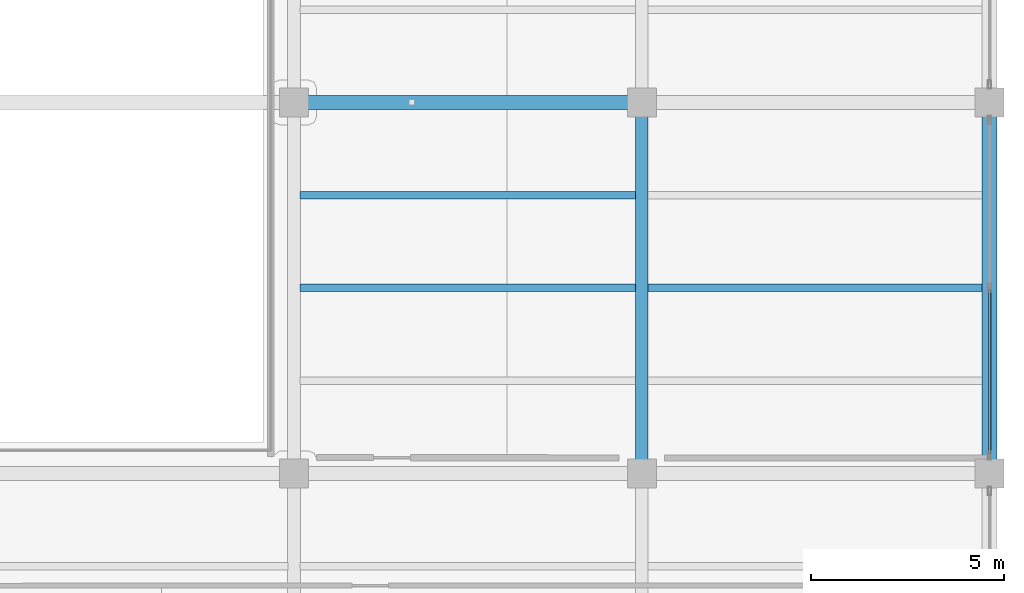
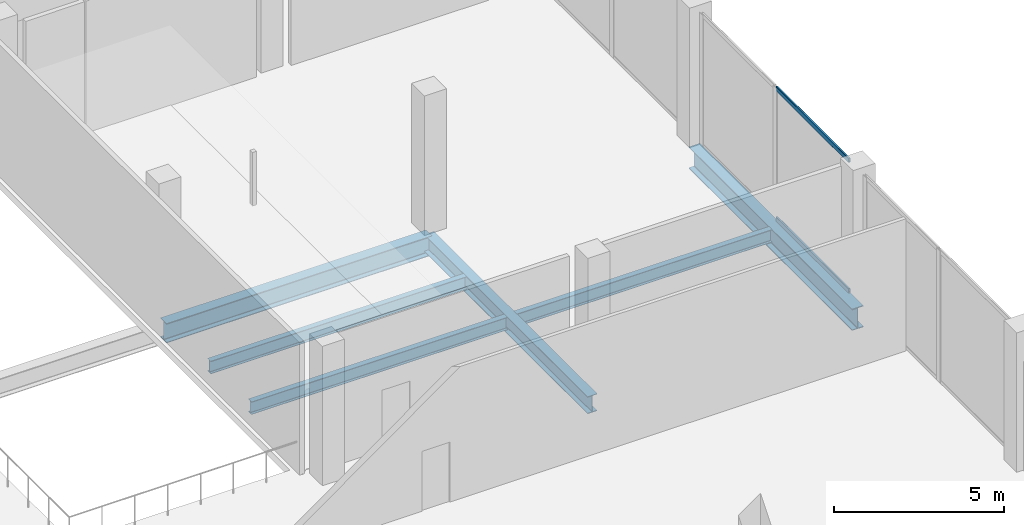
# One storey, part 17 of 47: 6 beams, 2 members, 1 element without a shape of its own.
"""IFC4 building model written with IfcOpenShell, lengths in metres."""

import ifcopenshell
import ifcopenshell.guid

model = None  # the IFC model being written
_history = None  # IfcOwnerHistory: only IFC2X3 demands one
_inside = {}  # id of a spatial element -> (the spatial element, [elements in it])
_under = {}  # id of a project, library or spatial element -> (it, [spatial elements below it])
_declared = {}  # id of a project -> (the project, [libraries it declares])
_typed = {}  # id of a type object -> (the type object, [elements of that type])
_made_of = {}  # id of a material, layer set ... -> (it, [elements and type objects made of it])


def new_model(schema):
    """Start an empty IFC model of exactly this schema.

    Asked for "IFC4X3", IfcOpenShell would pick the latest addendum, in which some entities
    have other attributes; the version numbers below select the first issue.
    IFC2X3 requires an IfcOwnerHistory on every rooted entity: one is made here for all.
    """
    global model, _history
    if schema == "IFC4X3":
        model = ifcopenshell.file(schema_version=(4, 3, 0, 0))
    else:
        model = ifcopenshell.file(schema=schema)
    _inside.clear()
    _under.clear()
    _declared.clear()
    _typed.clear()
    _made_of.clear()
    _history = None
    if model.schema == "IFC2X3":
        org = make("IfcOrganization", Name="unknown")
        user = make(
            "IfcPersonAndOrganization",
            ThePerson=make("IfcPerson", FamilyName="unknown"),
            TheOrganization=org,
        )
        app = make(
            "IfcApplication",
            ApplicationDeveloper=org,
            Version="unknown",
            ApplicationFullName="unknown",
            ApplicationIdentifier="unknown",
        )
        _history = make(
            "IfcOwnerHistory",
            OwningUser=user,
            OwningApplication=app,
            ChangeAction="ADDED",
            CreationDate=0,
        )
    return model


def make(cls, **values):
    """One entity of the class cls with the attributes given. An attribute that is None is left unset."""
    return model.create_entity(
        cls, **{name: value for name, value in values.items() if value is not None}
    )


def rooted(cls, **values):
    """An entity with a GlobalId (a new one), such as an element, a storey or a relation."""
    return make(cls, GlobalId=ifcopenshell.guid.new(), OwnerHistory=_history, **values)


def si_unit(unit_type, name, prefix=None):
    """IfcSIUnit, for example si_unit("LENGTHUNIT", "METRE", prefix="MILLI")."""
    return make("IfcSIUnit", UnitType=unit_type, Prefix=prefix, Name=name)


def assignment(units):
    """IfcUnitAssignment: the units of a project."""
    return None if units is None else make("IfcUnitAssignment", Units=units)


def point(xyz):
    """IfcCartesianPoint."""
    return None if xyz is None else make("IfcCartesianPoint", Coordinates=xyz)


def direction(xyz):
    """IfcDirection."""
    return None if xyz is None else make("IfcDirection", DirectionRatios=xyz)


def frame(location, z_axis=None, x_axis=None):
    """IfcAxis2Placement3D, a coordinate frame: its origin and axes. An axis left out is left unset."""
    return make(
        "IfcAxis2Placement3D",
        Location=point(location),
        Axis=direction(z_axis),
        RefDirection=direction(x_axis),
    )


def frame_2d(location, x_axis=None):
    """IfcAxis2Placement2D, a coordinate frame in the plane: its origin and x axis."""
    return make(
        "IfcAxis2Placement2D", Location=point(location), RefDirection=direction(x_axis)
    )


def origin():
    """The frame at (0, 0, 0) with its axes left unset."""
    return frame((0.0, 0.0, 0.0))


def origin_2d():
    """The frame at (0, 0) in the plane with its x axis left unset."""
    return frame_2d((0.0, 0.0))


def place(relative_to, where):
    """IfcLocalPlacement: puts the frame where relative to a parent placement (None: the world)."""
    return make(
        "IfcLocalPlacement", PlacementRelTo=relative_to, RelativePlacement=where
    )


def context(
    kind, dimensions, precision=None, world=None, true_north=None, identifier=None
):
    """IfcGeometricRepresentationContext, for example the 3D "Model" context."""
    return make(
        "IfcGeometricRepresentationContext",
        ContextIdentifier=identifier,
        ContextType=kind,
        CoordinateSpaceDimension=dimensions,
        Precision=precision,
        WorldCoordinateSystem=world,
        TrueNorth=true_north,
    )


def subcontext(parent, identifier, kind, view, scale=None):
    """IfcGeometricRepresentationSubContext, for example "Body" below "Model"."""
    return make(
        "IfcGeometricRepresentationSubContext",
        ContextIdentifier=identifier,
        ContextType=kind,
        ParentContext=parent,
        TargetScale=scale,
        TargetView=view,
    )


def project(units=None, contexts=None):
    """IfcProject with its units and contexts."""
    return rooted(
        "IfcProject",
        Name="project",
        RepresentationContexts=contexts,
        UnitsInContext=assignment(units),
    )


def spatial(cls, under=None, at=None, **own):
    """A site, building, storey or space (cls), placed at a placement, below another one or the project."""
    s = rooted(cls, ObjectPlacement=at, **own)
    if under is not None:
        _under.setdefault(under.id(), (under, []))[1].append(s)
    return s


def profile(cls, at=None, kind="AREA", **sizes):
    """A parametric profile (cls). Its sizes go by their IFC names, for example OverallWidth=200.0."""
    return make(cls, ProfileType=kind, Position=at, **sizes)


def hollow_rectangle(**sizes):
    """IfcRectangleHollowProfileDef."""
    return profile("IfcRectangleHollowProfileDef", **sizes)


def i_section(**sizes):
    """IfcIShapeProfileDef."""
    return profile("IfcIShapeProfileDef", **sizes)


def extrude(swept, where, along, depth):
    """IfcExtrudedAreaSolid: the profile swept, set in the frame where, extruded along a direction by depth."""
    return make(
        "IfcExtrudedAreaSolid",
        SweptArea=swept,
        Position=where,
        ExtrudedDirection=direction(along),
        Depth=depth,
    )


def shape(context_of_items, identifier, shape_type, items):
    """IfcShapeRepresentation: the items that make up one representation, for example the "Body"."""
    return make(
        "IfcShapeRepresentation",
        ContextOfItems=context_of_items,
        RepresentationIdentifier=identifier,
        RepresentationType=shape_type,
        Items=items,
    )


def material(Name=None, Category=None):
    """IfcMaterial."""
    return make("IfcMaterial", Name=Name, Category=Category)


def layer(
    of_material, thickness, ventilated=None, Name=None, Category=None, Priority=None
):
    """IfcMaterialLayer: one layer of a wall or slab, of a material (None: an air gap)."""
    return make(
        "IfcMaterialLayer",
        Material=of_material,
        LayerThickness=thickness,
        IsVentilated=ventilated,
        Name=Name,
        Category=Category,
        Priority=Priority,
    )


def layer_set(layers, Name=None):
    """IfcMaterialLayerSet."""
    return make("IfcMaterialLayerSet", MaterialLayers=layers, LayerSetName=Name)


def material_profile(
    of_material, cross_section, Name=None, Category=None, Priority=None
):
    """IfcMaterialProfile: a cross section and its material."""
    return make(
        "IfcMaterialProfile",
        Name=Name,
        Material=of_material,
        Profile=cross_section,
        Priority=Priority,
        Category=Category,
    )


def profile_set(profiles, Name=None, composite=None):
    """IfcMaterialProfileSet."""
    return make(
        "IfcMaterialProfileSet",
        Name=Name,
        MaterialProfiles=profiles,
        CompositeProfile=composite,
    )


def made_of(thing, what):
    """Note that an element or type object is made of a material, layer set ...; save() writes the relation."""
    if what is not None:
        _made_of.setdefault(what.id(), (what, []))[1].append(thing)
    return thing


def type_object(cls, material=None, **own):
    """A type object (cls), such as IfcWallType, which elements share."""
    return made_of(rooted(cls, **own), material)


def element(
    cls,
    number,
    at=None,
    inside=None,
    cuts=None,
    type_object=None,
    material=None,
    context=None,
    identifier="Body",
    shape_type=None,
    held_by="IfcProductDefinitionShape",
    body=None,
    shapes=None,
    **own,
):
    """One element of the class cls, such as IfcWall. Its Tag is "e" and its number.

    at: its placement. inside: the storey or other place that contains it. cuts: it is an
    opening in that element (IfcRelVoidsElement). A single representation is given by context,
    identifier, shape_type and body (its items); several are given by shapes. held_by: the class
    of the entity that holds the representations. save() writes the other relations.
    """
    e = rooted(cls, Tag="e%d" % number, ObjectPlacement=at, **own)
    if body is not None:
        shapes = [shape(context, identifier, shape_type, body)]
    if shapes is not None:
        e.Representation = make(held_by, Representations=shapes)
    if inside is not None:
        _inside.setdefault(inside.id(), (inside, []))[1].append(e)
    if cuts is not None:
        rooted(
            "IfcRelVoidsElement", RelatingBuildingElement=cuts, RelatedOpeningElement=e
        )
    if type_object is not None:
        _typed.setdefault(type_object.id(), (type_object, []))[1].append(e)
    return made_of(e, material)


def aggregate(whole, parts):
    """IfcRelAggregates: a whole, such as a stair, and the parts it consists of."""
    return rooted("IfcRelAggregates", RelatingObject=whole, RelatedObjects=parts)


def save(model, path):
    """Write the relations noted so far, then the file.

    IfcRelAggregates (storeys below a building ...), IfcRelContainedInSpatialStructure (elements
    in a storey), IfcRelDefinesByType, IfcRelAssociatesMaterial and IfcRelDeclares: one each for
    every whole, place, type object, material and project.
    """
    for whole, parts in _under.values():
        aggregate(whole, parts)
    for where, things in _inside.values():
        rooted(
            "IfcRelContainedInSpatialStructure",
            RelatedElements=things,
            RelatingStructure=where,
        )
    for kind, things in _typed.values():
        rooted("IfcRelDefinesByType", RelatedObjects=things, RelatingType=kind)
    for what, things in _made_of.values():
        rooted("IfcRelAssociatesMaterial", RelatedObjects=things, RelatingMaterial=what)
    for by, libraries in _declared.values():
        rooted("IfcRelDeclares", RelatingContext=by, RelatedDefinitions=libraries)
    model.write(path)


model = new_model("IFC4")

# Units and contexts
model_context = context("Model", 3, precision=1e-05, world=origin(), true_north=direction((0.0, 1.0)))
body_context = subcontext(model_context, "Body", "Model", "MODEL_VIEW")
ifc_project = project(units=[si_unit("LENGTHUNIT", "METRE"), si_unit("AREAUNIT", "SQUARE_METRE"), si_unit("VOLUMEUNIT", "CUBIC_METRE"), si_unit("PLANEANGLEUNIT", "RADIAN"), si_unit("MASSUNIT", "GRAM", prefix="KILO")], contexts=[model_context])

# Site, building, storey
site_placement = place(None, origin())
site = spatial("IfcSite", under=ifc_project, at=site_placement, CompositionType="ELEMENT")
building_placement = place(site_placement, origin())
building = spatial("IfcBuilding", under=site, at=building_placement, Name="Qorvath Tower", CompositionType="ELEMENT")
storey_placement = place(building_placement, frame((0.0, 0.0, 12.0)))
storey = spatial("IfcBuildingStorey", under=building, at=storey_placement, Name="L02", CompositionType="ELEMENT", Elevation=12.0)

# Beams
ifc_material_1 = material(Name="Steel ASTM A992 Grade 50", Category="steel")
ifc_material_profile_1 = material_profile(ifc_material_1, i_section(OverallWidth=0.381103515625, OverallDepth=0.77294921875, WebThickness=0.0166015625, FlangeThickness=0.027099609375, FilletRadius=0.01904296875, at=origin_2d()), Name="W30x173")
ifc_profile_set_1 = profile_set([ifc_material_profile_1], Name="Steel ASTM A992 Grade 50")
beam_type_1 = type_object("IfcBeamType", Name="BM-FG3", PredefinedType="BEAM", material=ifc_profile_set_1)
beam_1_placement = place(storey_placement, frame((77.39990234375, -9.60009765625, -0.646484375), z_axis=(0.0, 1.0, 0.0), x_axis=(-1.0, 0.0, 0.0)))
element("IfcBeam", 1, at=beam_1_placement, inside=storey, type_object=beam_type_1, Name="Library N-S Girder L02-6-4", PredefinedType="BEAM", context=body_context, shape_type="SweptSolid", body=[
    extrude(i_section(OverallWidth=0.381103515625, OverallDepth=0.77294921875, WebThickness=0.0166015625, FlangeThickness=0.027099609375, FilletRadius=0.01904296875, at=origin_2d()), origin(), (0.0, 0.0, 1.0), 9.60009765625),
])
ifc_material_2 = material(Name="Steel ASTM A992 Grade 50", Category="steel")
ifc_material_profile_2 = material_profile(ifc_material_2, i_section(OverallWidth=0.35595703125, OverallDepth=0.696044921875, WebThickness=0.015380859375, FlangeThickness=0.02490234375, FilletRadius=0.01806640625, at=origin_2d()), Name="W27x146")
ifc_profile_set_2 = profile_set([ifc_material_profile_2], Name="Steel ASTM A992 Grade 50")
beam_type_2 = type_object("IfcBeamType", Name="BM-FG4", PredefinedType="BEAM", material=ifc_profile_set_2)
beam_2_placement = place(storey_placement, frame((59.39990234375, 0.0, -0.60791015625), z_axis=(1.0, 0.0, 0.0), x_axis=(0.0, 1.0, 0.0)))
element("IfcBeam", 2, at=beam_2_placement, inside=storey, type_object=beam_type_2, Name="Library E-W Girder L02-5-4", PredefinedType="BEAM", context=body_context, shape_type="SweptSolid", body=[
    extrude(i_section(OverallWidth=0.35595703125, OverallDepth=0.696044921875, WebThickness=0.015380859375, FlangeThickness=0.02490234375, FilletRadius=0.01806640625, at=origin_2d()), origin(), (0.0, 0.0, 1.0), 9.0),
])
ifc_material_3 = material(Name="Steel ASTM A992 Grade 50", Category="steel")
ifc_material_profile_3 = material_profile(ifc_material_3, i_section(OverallWidth=0.324951171875, OverallDepth=0.615966796875, WebThickness=0.013916015625, FlangeThickness=0.021484375, FilletRadius=0.01611328125, at=origin_2d()), Name="W24x117")
ifc_profile_set_3 = profile_set([ifc_material_profile_3], Name="Steel ASTM A992 Grade 50")
beam_type_3 = type_object("IfcBeamType", Name="BM-FG5", PredefinedType="BEAM", material=ifc_profile_set_3)
beam_3_placement = place(storey_placement, frame((68.39990234375, -9.60009765625, -0.568115234375), z_axis=(0.0, 1.0, 0.0), x_axis=(-1.0, 0.0, 0.0)))
element("IfcBeam", 3, at=beam_3_placement, inside=storey, type_object=beam_type_3, Name="Library N-S Girder L02-5-4", PredefinedType="BEAM", context=body_context, shape_type="SweptSolid", body=[
    extrude(i_section(OverallWidth=0.324951171875, OverallDepth=0.615966796875, WebThickness=0.013916015625, FlangeThickness=0.021484375, FilletRadius=0.01611328125, at=origin_2d()), origin(), (0.0, 0.0, 1.0), 9.60009765625),
])
ifc_material_4 = material(Name="Steel ASTM A992 Grade 50", Category="steel")
ifc_material_profile_4 = material_profile(ifc_material_4, i_section(OverallWidth=0.18994140625, OverallDepth=0.45703125, WebThickness=0.009033203125, FlangeThickness=0.014404296875, FilletRadius=0.011962890625, at=origin_2d()), Name="W18x50")
ifc_profile_set_4 = profile_set([ifc_material_profile_4], Name="Steel ASTM A992 Grade 50")
beam_type_4 = type_object("IfcBeamType", Name="BM-FJ2", PredefinedType="JOIST", material=ifc_profile_set_4)
beam_4_placement = place(storey_placement, frame((59.560546875, -4.800048828125, -0.488525390625), z_axis=(1.0, 0.0, 0.0), x_axis=(0.0, 1.0, 0.0)))
element("IfcBeam", 4, at=beam_4_placement, inside=storey, type_object=beam_type_4, Name="Library Stack Joist L02-4.2-4", PredefinedType="JOIST", context=body_context, shape_type="SweptSolid", body=[
    extrude(i_section(OverallWidth=0.18994140625, OverallDepth=0.45703125, WebThickness=0.009033203125, FlangeThickness=0.014404296875, FilletRadius=0.011962890625, at=origin_2d()), origin(), (0.0, 0.0, 1.0), 8.678955078125),
])
beam_5_placement = place(storey_placement, frame((68.560546875, -4.800048828125, -0.488525390625), z_axis=(1.0, 0.0, 0.0), x_axis=(0.0, 1.0, 0.0)))
element("IfcBeam", 5, at=beam_5_placement, inside=storey, type_object=beam_type_4, Name="Library Stack Joist L02-4.2-5", PredefinedType="JOIST", context=body_context, shape_type="SweptSolid", body=[
    extrude(i_section(OverallWidth=0.18994140625, OverallDepth=0.45703125, WebThickness=0.009033203125, FlangeThickness=0.014404296875, FilletRadius=0.011962890625, at=origin_2d()), origin(), (0.0, 0.0, 1.0), 8.65087890625),
])
beam_6_placement = place(storey_placement, frame((59.560546875, -2.39990234375, -0.488525390625), z_axis=(1.0, 0.0, 0.0), x_axis=(0.0, 1.0, 0.0)))
element("IfcBeam", 6, at=beam_6_placement, inside=storey, type_object=beam_type_4, Name="Library Stack Joist L02-4.3-4", PredefinedType="JOIST", context=body_context, shape_type="SweptSolid", body=[
    extrude(i_section(OverallWidth=0.18994140625, OverallDepth=0.45703125, WebThickness=0.009033203125, FlangeThickness=0.014404296875, FilletRadius=0.011962890625, at=origin_2d()), origin(), (0.0, 0.0, 1.0), 8.678955078125),
])

# Curtain wall, members
ifc_material_5 = material(Name="Anodised aluminium and triple low-E glass", Category="aluminium")
ifc_layer = layer(ifc_material_5, 0.179931640625)
ifc_layer_set = layer_set([ifc_layer], Name="CW-SYS-6")
curtain_wall_type = type_object("IfcCurtainWallType", Name="CW-SYS-6", PredefinedType="NOTDEFINED", material=ifc_layer_set)
curtain_wall_placement = place(storey_placement, origin())
curtain_wall = element("IfcCurtainWall", 7, at=curtain_wall_placement, inside=storey, type_object=curtain_wall_type, Name="Curtain Wall CW-6 CW-LIB-E-L02-4", PredefinedType="NOTDEFINED")
ifc_material_6 = material(Name="Anodised aluminium 6063-T6", Category="aluminium")
ifc_material_profile_5 = material_profile(ifc_material_6, hollow_rectangle(XDim=0.06494140625, YDim=0.159912109375, WallThickness=0.00341796875, InnerFilletRadius=0.00341796875, OuterFilletRadius=0.007080078125, at=origin_2d()), Name="CWT 160x65")
ifc_profile_set_5 = profile_set([ifc_material_profile_5], Name="Anodised aluminium 6063-T6")
member_type = type_object("IfcMemberType", Name="CWT-160", PredefinedType="USERDEFINED", material=ifc_profile_set_5)
member_1_placement = place(storey_placement, frame((77.39990234375, -9.099853515625, 0.032470703125), z_axis=(0.0, 1.0, 0.0), x_axis=(-1.0, 0.0, 0.0)))
member_1 = element("IfcMember", 8, at=member_1_placement, type_object=member_type, Name="CW-6 transom 1.1", ObjectType="TRANSOM", PredefinedType="USERDEFINED", context=body_context, shape_type="SweptSolid", body=[
    extrude(hollow_rectangle(XDim=0.06494140625, YDim=0.159912109375, WallThickness=0.00341796875, InnerFilletRadius=0.00341796875, OuterFilletRadius=0.007080078125, at=origin_2d()), origin(), (0.0, 0.0, 1.0), 4.260009765625),
])
member_2_placement = place(storey_placement, frame((77.39990234375, -9.099853515625, 4.70751953125), z_axis=(0.0, 1.0, 0.0), x_axis=(-1.0, 0.0, 0.0)))
member_2 = element("IfcMember", 9, at=member_2_placement, type_object=member_type, Name="CW-6 transom 1.2", ObjectType="TRANSOM", PredefinedType="USERDEFINED", context=body_context, shape_type="SweptSolid", body=[
    extrude(hollow_rectangle(XDim=0.06494140625, YDim=0.159912109375, WallThickness=0.00341796875, InnerFilletRadius=0.00341796875, OuterFilletRadius=0.007080078125, at=origin_2d()), origin(), (0.0, 0.0, 1.0), 4.260009765625),
])
aggregate(curtain_wall, [member_1, member_2])

save(model, "model.ifc")
